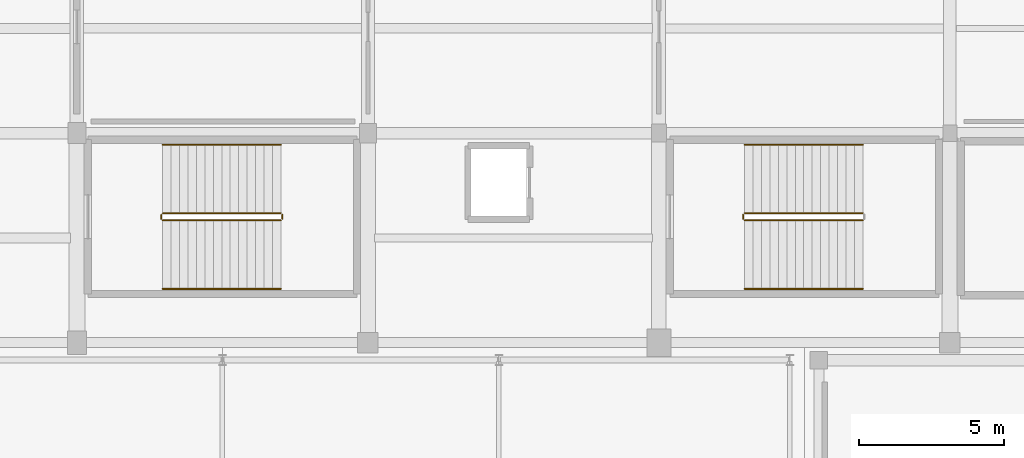
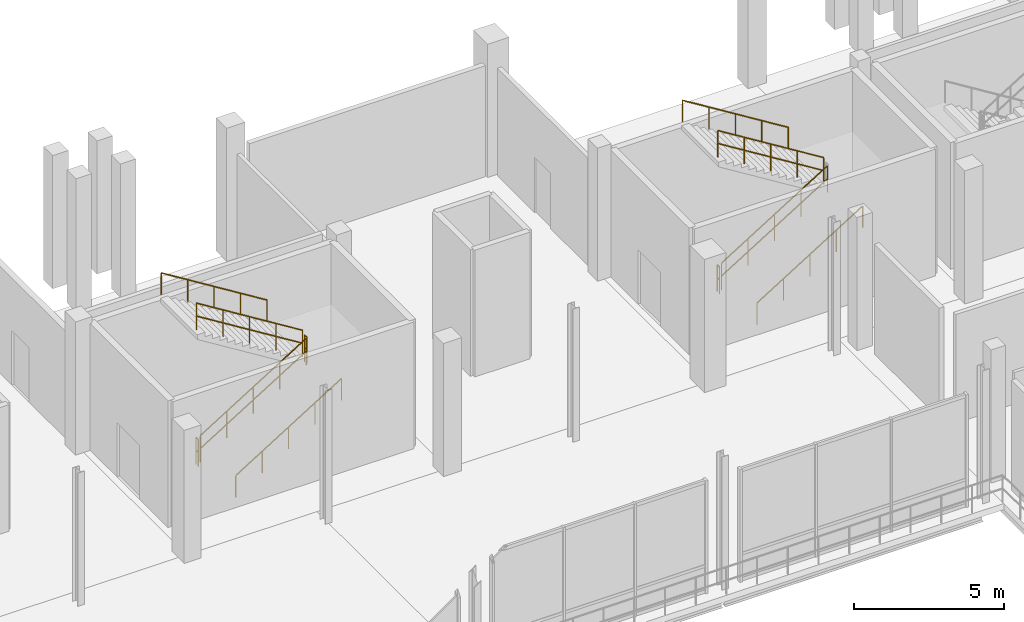
# One storey, part 93 of 111: 11 railings.
"""IFC4 building model written with IfcOpenShell, lengths in metres."""

from ifc_helpers import new_model, si_unit, direction, frame, origin, origin_2d, place, context, subcontext, project, spatial, circle, extrude, material, layer, layer_set, type_object, element, save


model = new_model("IFC4")

# Units and contexts
model_context = context("Model", 3, precision=1e-05, world=origin(), true_north=direction((0.0, 1.0)))
body_context = subcontext(model_context, "Body", "Model", "MODEL_VIEW")
ifc_project = project(units=[si_unit("LENGTHUNIT", "METRE"), si_unit("AREAUNIT", "SQUARE_METRE"), si_unit("VOLUMEUNIT", "CUBIC_METRE"), si_unit("PLANEANGLEUNIT", "RADIAN"), si_unit("MASSUNIT", "GRAM", prefix="KILO")], contexts=[model_context])

# Site, building, storey
site_placement = place(None, origin())
site = spatial("IfcSite", under=ifc_project, at=site_placement, CompositionType="ELEMENT")
building_placement = place(site_placement, origin())
building = spatial("IfcBuilding", under=site, at=building_placement, Name="Candeia Ridge Stadium", CompositionType="ELEMENT")
storey_placement = place(building_placement, frame((0.0, 0.0, 16.199951171875)))
storey = spatial("IfcBuildingStorey", under=building, at=storey_placement, Name="L03", CompositionType="ELEMENT", Elevation=16.199951171875)

# Railings
ifc_material_1 = material(Name="Brushed Stainless Steel", Category="steel")
ifc_layer_1 = layer(ifc_material_1, 0.048095703125, Name="Brushed Stainless Steel", Category="steel")
ifc_layer_set_1 = layer_set([ifc_layer_1], Name="Brushed Stainless Steel")
railing_type_1 = type_object("IfcRailingType", Name="Stair Wall & Flight Handrail 900", PredefinedType="HANDRAIL", material=ifc_layer_set_1)
railing_1_placement = place(storey_placement, frame((123.949951171875, 20.85009765625, 0.179931640625)))
element("IfcRailing", 1, at=railing_1_placement, inside=storey, type_object=railing_type_1, Name="L03 ST12 stair handrail 1", PredefinedType="HANDRAIL", context=body_context, shape_type="SweptSolid", body=[
    extrude(circle(Radius=0.02392578125, at=origin_2d()), frame((0.0, 0.0, 0.8759765625), z_axis=(0.849641744969, 0.0, 0.527360318194), x_axis=(0.0, 1.0, 0.0)), (0.0, 0.0, 1.0), 4.778564453125),
    extrude(circle(Radius=0.02099609375, at=origin_2d()), origin(), (0.0, 0.0, 1.0), 0.851806640625),
    extrude(circle(Radius=0.02099609375, at=origin_2d()), frame((1.01513671875, 0.0, 0.6298828125)), (0.0, 0.0, 1.0), 0.851806640625),
    extrude(circle(Radius=0.02099609375, at=origin_2d()), frame((2.030029296875, 0.0, 1.260009765625)), (0.0, 0.0, 1.0), 0.851806640625),
    extrude(circle(Radius=0.02099609375, at=origin_2d()), frame((3.044921875, 0.0, 1.89013671875)), (0.0, 0.0, 1.0), 0.851806640625),
    extrude(circle(Radius=0.02099609375, at=origin_2d()), frame((4.06005859375, 0.0, 2.52001953125)), (0.0, 0.0, 1.0), 0.851806640625),
])
railing_2_placement = place(storey_placement, frame((128.010009765625, 25.800048828125, 2.880126953125)))
element("IfcRailing", 2, at=railing_2_placement, inside=storey, type_object=railing_type_1, Name="L03 ST12 stair handrail 2", PredefinedType="HANDRAIL", context=body_context, shape_type="SweptSolid", body=[
    extrude(circle(Radius=0.02392578125, at=origin_2d()), frame((0.0, 0.0, 0.8759765625), z_axis=(-0.849641744969, 0.0, 0.527360318194), x_axis=(0.0, -1.0, 0.0)), (0.0, 0.0, 1.0), 4.778564453125),
    extrude(circle(Radius=0.02099609375, at=origin_2d()), origin(), (0.0, 0.0, 1.0), 0.851806640625),
    extrude(circle(Radius=0.02099609375, at=origin_2d()), frame((-1.01513671875, 0.0, 0.6298828125)), (0.0, 0.0, 1.0), 0.851806640625),
    extrude(circle(Radius=0.02099609375, at=origin_2d()), frame((-2.030029296875, 0.0, 1.260009765625)), (0.0, 0.0, 1.0), 0.851806640625),
    extrude(circle(Radius=0.02099609375, at=origin_2d()), frame((-3.044921875, 0.0, 1.89013671875)), (0.0, 0.0, 1.0), 0.851806640625),
    extrude(circle(Radius=0.02099609375, at=origin_2d()), frame((-4.06005859375, 0.0, 2.52001953125)), (0.0, 0.0, 1.0), 0.851806640625),
])
railing_3_placement = place(storey_placement, frame((103.949951171875, 20.85009765625, 0.179931640625)))
element("IfcRailing", 3, at=railing_3_placement, inside=storey, type_object=railing_type_1, Name="L03 ST18 stair handrail 1", PredefinedType="HANDRAIL", context=body_context, shape_type="SweptSolid", body=[
    extrude(circle(Radius=0.02392578125, at=origin_2d()), frame((0.0, 0.0, 0.8759765625), z_axis=(0.849641744969, 0.0, 0.527360318194), x_axis=(0.0, 1.0, 0.0)), (0.0, 0.0, 1.0), 4.778564453125),
    extrude(circle(Radius=0.02099609375, at=origin_2d()), origin(), (0.0, 0.0, 1.0), 0.851806640625),
    extrude(circle(Radius=0.02099609375, at=origin_2d()), frame((1.01513671875, 0.0, 0.6298828125)), (0.0, 0.0, 1.0), 0.851806640625),
    extrude(circle(Radius=0.02099609375, at=origin_2d()), frame((2.030029296875, 0.0, 1.260009765625)), (0.0, 0.0, 1.0), 0.851806640625),
    extrude(circle(Radius=0.02099609375, at=origin_2d()), frame((3.044921875, 0.0, 1.89013671875)), (0.0, 0.0, 1.0), 0.851806640625),
    extrude(circle(Radius=0.02099609375, at=origin_2d()), frame((4.06005859375, 0.0, 2.52001953125)), (0.0, 0.0, 1.0), 0.851806640625),
])
railing_4_placement = place(storey_placement, frame((108.010009765625, 25.800048828125, 2.880126953125)))
element("IfcRailing", 4, at=railing_4_placement, inside=storey, type_object=railing_type_1, Name="L03 ST18 stair handrail 2", PredefinedType="HANDRAIL", context=body_context, shape_type="SweptSolid", body=[
    extrude(circle(Radius=0.02392578125, at=origin_2d()), frame((0.0, 0.0, 0.8759765625), z_axis=(-0.849641744969, 0.0, 0.527360318194), x_axis=(0.0, -1.0, 0.0)), (0.0, 0.0, 1.0), 4.778564453125),
    extrude(circle(Radius=0.02099609375, at=origin_2d()), origin(), (0.0, 0.0, 1.0), 0.851806640625),
    extrude(circle(Radius=0.02099609375, at=origin_2d()), frame((-1.01513671875, 0.0, 0.6298828125)), (0.0, 0.0, 1.0), 0.851806640625),
    extrude(circle(Radius=0.02099609375, at=origin_2d()), frame((-2.030029296875, 0.0, 1.260009765625)), (0.0, 0.0, 1.0), 0.851806640625),
    extrude(circle(Radius=0.02099609375, at=origin_2d()), frame((-3.044921875, 0.0, 1.89013671875)), (0.0, 0.0, 1.0), 0.851806640625),
    extrude(circle(Radius=0.02099609375, at=origin_2d()), frame((-4.06005859375, 0.0, 2.52001953125)), (0.0, 0.0, 1.0), 0.851806640625),
])
ifc_material_2 = material(Name="Galvanized Powder-Coated Steel", Category="steel")
ifc_layer_2 = layer(ifc_material_2, 0.06005859375, Name="Galvanized Powder-Coated Steel", Category="steel")
ifc_layer_set_2 = layer_set([ifc_layer_2], Name="Galvanized Powder-Coated Steel")
railing_type_2 = type_object("IfcRailingType", Name="Stair Well Guardrail 1100", PredefinedType="GUARDRAIL", material=ifc_layer_set_2)
railing_5_placement = place(storey_placement, frame((123.949951171875, 23.199951171875, 0.179931640625)))
element("IfcRailing", 5, at=railing_5_placement, inside=storey, type_object=railing_type_2, Name="L03 ST12 stair guard 1", PredefinedType="GUARDRAIL", context=body_context, shape_type="SweptSolid", body=[
    extrude(circle(Radius=0.02392578125, at=origin_2d()), frame((0.0, 0.0, 1.076171875), z_axis=(0.849641744969, 0.0, 0.527360318194), x_axis=(0.0, 1.0, 0.0)), (0.0, 0.0, 1.0), 4.778564453125),
    extrude(circle(Radius=0.02392578125, at=origin_2d()), frame((0.0, 0.0, 0.550048828125), z_axis=(0.849641744969, 0.0, 0.527360318194), x_axis=(0.0, 1.0, 0.0)), (0.0, 0.0, 1.0), 4.778564453125),
    extrude(circle(Radius=0.02099609375, at=origin_2d()), origin(), (0.0, 0.0, 1.0), 1.052001953125),
    extrude(circle(Radius=0.02099609375, at=origin_2d()), frame((1.01513671875, 0.0, 0.6298828125)), (0.0, 0.0, 1.0), 1.052001953125),
    extrude(circle(Radius=0.02099609375, at=origin_2d()), frame((2.030029296875, 0.0, 1.260009765625)), (0.0, 0.0, 1.0), 1.052001953125),
    extrude(circle(Radius=0.02099609375, at=origin_2d()), frame((3.044921875, 0.0, 1.89013671875)), (0.0, 0.0, 1.0), 1.052001953125),
    extrude(circle(Radius=0.02099609375, at=origin_2d()), frame((4.06005859375, 0.0, 2.52001953125)), (0.0, 0.0, 1.0), 1.052001953125),
])
railing_6_placement = place(storey_placement, frame((128.010009765625, 23.449951171875, 2.880126953125)))
element("IfcRailing", 6, at=railing_6_placement, inside=storey, type_object=railing_type_2, Name="L03 ST12 stair guard 3", PredefinedType="GUARDRAIL", context=body_context, shape_type="SweptSolid", body=[
    extrude(circle(Radius=0.02392578125, at=origin_2d()), frame((0.0, 0.0, 1.076171875), z_axis=(-0.849641744969, 0.0, 0.527360318194), x_axis=(0.0, -1.0, 0.0)), (0.0, 0.0, 1.0), 4.778564453125),
    extrude(circle(Radius=0.02392578125, at=origin_2d()), frame((0.0, 0.0, 0.550048828125), z_axis=(-0.849641744969, 0.0, 0.527360318194), x_axis=(0.0, -1.0, 0.0)), (0.0, 0.0, 1.0), 4.778564453125),
    extrude(circle(Radius=0.02099609375, at=origin_2d()), origin(), (0.0, 0.0, 1.0), 1.052001953125),
    extrude(circle(Radius=0.02099609375, at=origin_2d()), frame((-1.01513671875, 0.0, 0.6298828125)), (0.0, 0.0, 1.0), 1.052001953125),
    extrude(circle(Radius=0.02099609375, at=origin_2d()), frame((-2.030029296875, 0.0, 1.260009765625)), (0.0, 0.0, 1.0), 1.052001953125),
    extrude(circle(Radius=0.02099609375, at=origin_2d()), frame((-3.044921875, 0.0, 1.89013671875)), (0.0, 0.0, 1.0), 1.052001953125),
    extrude(circle(Radius=0.02099609375, at=origin_2d()), frame((-4.06005859375, 0.0, 2.52001953125)), (0.0, 0.0, 1.0), 1.052001953125),
])
railing_7_placement = place(storey_placement, frame((123.89990234375, 23.25, 0.0)))
element("IfcRailing", 7, at=railing_7_placement, inside=storey, type_object=railing_type_2, Name="L03 ST12 stair guard 4", PredefinedType="GUARDRAIL", context=body_context, shape_type="SweptSolid", body=[
    extrude(circle(Radius=0.02392578125, at=origin_2d()), frame((0.0, 0.0, 1.076171875), z_axis=(0.0, 1.0, 0.0), x_axis=(-1.0, 0.0, 0.0)), (0.0, 0.0, 1.0), 0.14990234375),
    extrude(circle(Radius=0.02392578125, at=origin_2d()), frame((0.0, 0.0, 0.550048828125), z_axis=(0.0, 1.0, 0.0), x_axis=(-1.0, 0.0, 0.0)), (0.0, 0.0, 1.0), 0.14990234375),
    extrude(circle(Radius=0.02099609375, at=origin_2d()), origin(), (0.0, 0.0, 1.0), 1.052001953125),
    extrude(circle(Radius=0.02099609375, at=origin_2d()), frame((0.0, 0.14990234375, 0.0)), (0.0, 0.0, 1.0), 1.052001953125),
])
railing_8_placement = place(storey_placement, frame((103.949951171875, 23.199951171875, 0.179931640625)))
element("IfcRailing", 8, at=railing_8_placement, inside=storey, type_object=railing_type_2, Name="L03 ST18 stair guard 1", PredefinedType="GUARDRAIL", context=body_context, shape_type="SweptSolid", body=[
    extrude(circle(Radius=0.02392578125, at=origin_2d()), frame((0.0, 0.0, 1.076171875), z_axis=(0.849641744969, 0.0, 0.527360318194), x_axis=(0.0, 1.0, 0.0)), (0.0, 0.0, 1.0), 4.778564453125),
    extrude(circle(Radius=0.02392578125, at=origin_2d()), frame((0.0, 0.0, 0.550048828125), z_axis=(0.849641744969, 0.0, 0.527360318194), x_axis=(0.0, 1.0, 0.0)), (0.0, 0.0, 1.0), 4.778564453125),
    extrude(circle(Radius=0.02099609375, at=origin_2d()), origin(), (0.0, 0.0, 1.0), 1.052001953125),
    extrude(circle(Radius=0.02099609375, at=origin_2d()), frame((1.01513671875, 0.0, 0.6298828125)), (0.0, 0.0, 1.0), 1.052001953125),
    extrude(circle(Radius=0.02099609375, at=origin_2d()), frame((2.030029296875, 0.0, 1.260009765625)), (0.0, 0.0, 1.0), 1.052001953125),
    extrude(circle(Radius=0.02099609375, at=origin_2d()), frame((3.044921875, 0.0, 1.89013671875)), (0.0, 0.0, 1.0), 1.052001953125),
    extrude(circle(Radius=0.02099609375, at=origin_2d()), frame((4.06005859375, 0.0, 2.52001953125)), (0.0, 0.0, 1.0), 1.052001953125),
])
railing_9_placement = place(storey_placement, frame((108.06005859375, 23.25, 2.699951171875)))
element("IfcRailing", 9, at=railing_9_placement, inside=storey, type_object=railing_type_2, Name="L03 ST18 stair guard 2", PredefinedType="GUARDRAIL", context=body_context, shape_type="SweptSolid", body=[
    extrude(circle(Radius=0.02392578125, at=origin_2d()), frame((0.0, 0.0, 1.076171875), z_axis=(0.0, 1.0, 0.0), x_axis=(-1.0, 0.0, 0.0)), (0.0, 0.0, 1.0), 0.14990234375),
    extrude(circle(Radius=0.02392578125, at=origin_2d()), frame((0.0, 0.0, 0.550048828125), z_axis=(0.0, 1.0, 0.0), x_axis=(-1.0, 0.0, 0.0)), (0.0, 0.0, 1.0), 0.14990234375),
    extrude(circle(Radius=0.02099609375, at=origin_2d()), origin(), (0.0, 0.0, 1.0), 1.052001953125),
    extrude(circle(Radius=0.02099609375, at=origin_2d()), frame((0.0, 0.14990234375, 0.0)), (0.0, 0.0, 1.0), 1.052001953125),
])
railing_10_placement = place(storey_placement, frame((108.010009765625, 23.449951171875, 2.880126953125)))
element("IfcRailing", 10, at=railing_10_placement, inside=storey, type_object=railing_type_2, Name="L03 ST18 stair guard 3", PredefinedType="GUARDRAIL", context=body_context, shape_type="SweptSolid", body=[
    extrude(circle(Radius=0.02392578125, at=origin_2d()), frame((0.0, 0.0, 1.076171875), z_axis=(-0.849641744969, 0.0, 0.527360318194), x_axis=(0.0, -1.0, 0.0)), (0.0, 0.0, 1.0), 4.778564453125),
    extrude(circle(Radius=0.02392578125, at=origin_2d()), frame((0.0, 0.0, 0.550048828125), z_axis=(-0.849641744969, 0.0, 0.527360318194), x_axis=(0.0, -1.0, 0.0)), (0.0, 0.0, 1.0), 4.778564453125),
    extrude(circle(Radius=0.02099609375, at=origin_2d()), origin(), (0.0, 0.0, 1.0), 1.052001953125),
    extrude(circle(Radius=0.02099609375, at=origin_2d()), frame((-1.01513671875, 0.0, 0.6298828125)), (0.0, 0.0, 1.0), 1.052001953125),
    extrude(circle(Radius=0.02099609375, at=origin_2d()), frame((-2.030029296875, 0.0, 1.260009765625)), (0.0, 0.0, 1.0), 1.052001953125),
    extrude(circle(Radius=0.02099609375, at=origin_2d()), frame((-3.044921875, 0.0, 1.89013671875)), (0.0, 0.0, 1.0), 1.052001953125),
    extrude(circle(Radius=0.02099609375, at=origin_2d()), frame((-4.06005859375, 0.0, 2.52001953125)), (0.0, 0.0, 1.0), 1.052001953125),
])
railing_11_placement = place(storey_placement, frame((103.89990234375, 23.25, 0.0)))
element("IfcRailing", 11, at=railing_11_placement, inside=storey, type_object=railing_type_2, Name="L03 ST18 stair guard 4", PredefinedType="GUARDRAIL", context=body_context, shape_type="SweptSolid", body=[
    extrude(circle(Radius=0.02392578125, at=origin_2d()), frame((0.0, 0.0, 1.076171875), z_axis=(0.0, 1.0, 0.0), x_axis=(-1.0, 0.0, 0.0)), (0.0, 0.0, 1.0), 0.14990234375),
    extrude(circle(Radius=0.02392578125, at=origin_2d()), frame((0.0, 0.0, 0.550048828125), z_axis=(0.0, 1.0, 0.0), x_axis=(-1.0, 0.0, 0.0)), (0.0, 0.0, 1.0), 0.14990234375),
    extrude(circle(Radius=0.02099609375, at=origin_2d()), origin(), (0.0, 0.0, 1.0), 1.052001953125),
    extrude(circle(Radius=0.02099609375, at=origin_2d()), frame((0.0, 0.14990234375, 0.0)), (0.0, 0.0, 1.0), 1.052001953125),
])

save(model, "model.ifc")
